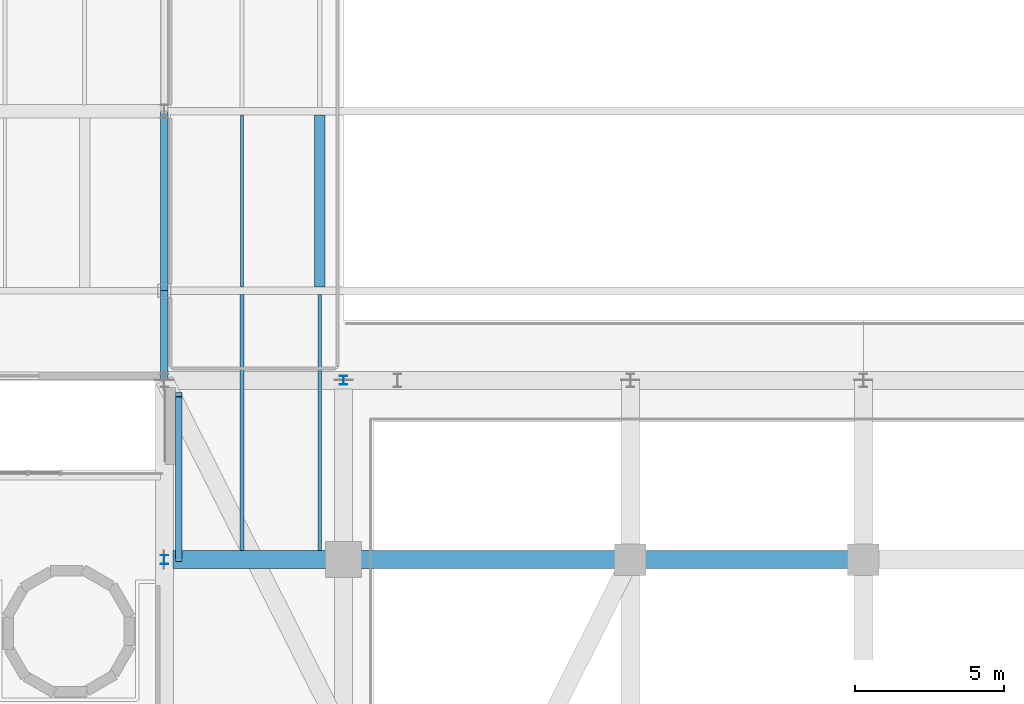
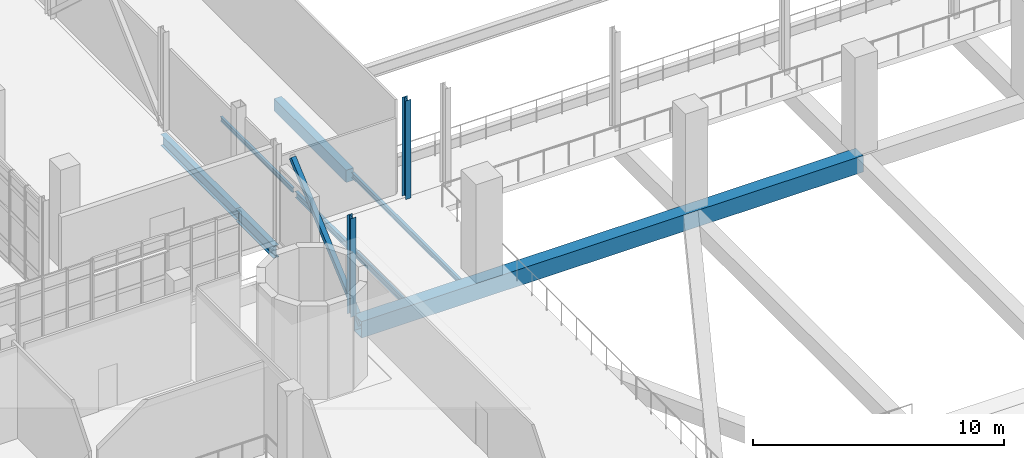
# One storey, part 28 of 100: 7 beams, 3 members.
"""IFC4 building model written with IfcOpenShell, lengths in metres."""

from ifc_helpers import new_model, si_unit, derived_unit, direction, frame, origin, origin_2d, place, context, subcontext, project, spatial, rectangle, hollow_rectangle, i_section, extrude, material, material_profile, profile_set, type_object, element, save


model = new_model("IFC4")

# Units and contexts
model_context = context("Model", 3, precision=1e-05, world=origin(), true_north=direction((0.0, 1.0)))
body_context = subcontext(model_context, "Body", "Model", "MODEL_VIEW")
ifc_project = project(units=[si_unit("LENGTHUNIT", "METRE"), si_unit("AREAUNIT", "SQUARE_METRE"), si_unit("VOLUMEUNIT", "CUBIC_METRE"), si_unit("PLANEANGLEUNIT", "RADIAN"), si_unit("MASSUNIT", "GRAM", prefix="KILO"), derived_unit("THERMALTRANSMITTANCEUNIT", [(si_unit("POWERUNIT", "WATT"), 1), (si_unit("LENGTHUNIT", "METRE"), -2), (si_unit("THERMODYNAMICTEMPERATUREUNIT", "KELVIN"), -1)])], contexts=[model_context])

# Site, building, storey
site_placement = place(None, origin())
site = spatial("IfcSite", under=ifc_project, at=site_placement, CompositionType="ELEMENT")
building_placement = place(site_placement, origin())
building = spatial("IfcBuilding", under=site, at=building_placement, Name="Nallur Shell Playhouse", CompositionType="ELEMENT")
storey_placement = place(building_placement, frame((0.0, 0.0, 10.199951171875)))
storey = spatial("IfcBuildingStorey", under=building, at=storey_placement, Name="L03", CompositionType="ELEMENT", Elevation=10.199951171875)

# Beams
ifc_material_1 = material(Name="Steel E250", Category="steel")
ifc_material_profile_1 = material_profile(ifc_material_1, i_section(OverallWidth=0.110107421875, OverallDepth=0.22509765625, WebThickness=0.006591796875, FlangeThickness=0.01171875, FilletRadius=0.011962890625, at=origin_2d()), Name="ISMB 225")
ifc_profile_set_1 = profile_set([ifc_material_profile_1], Name="Steel E250")
beam_type_1 = type_object("IfcBeamType", Name="BM-JST-ISMB225", PredefinedType="JOIST", material=ifc_profile_set_1)
beam_1_placement = place(storey_placement, frame((66.60009765625, 50.123046875, -0.37255859375), z_axis=(0.0, 1.0, 0.0), x_axis=(-1.0, 0.0, 0.0)))
element("IfcBeam", 1, at=beam_1_placement, inside=storey, type_object=beam_type_1, Name="L03 secondary joist 8-F-725", PredefinedType="JOIST", context=body_context, shape_type="SweptSolid", body=[
    extrude(i_section(OverallWidth=0.110107421875, OverallDepth=0.22509765625, WebThickness=0.006591796875, FlangeThickness=0.01171875, FilletRadius=0.011962890625, at=origin_2d()), origin(), (0.0, 0.0, 1.0), 5.75390625),
])
ifc_material_profile_2 = material_profile(ifc_material_1, i_section(OverallWidth=0.125, OverallDepth=0.25, WebThickness=0.0068359375, FlangeThickness=0.012451171875, FilletRadius=0.012939453125, at=origin_2d()), Name="ISMB 250")
ifc_profile_set_2 = profile_set([ifc_material_profile_2], Name="Steel E250")
beam_type_2 = type_object("IfcBeamType", Name="BM-JST-ISMB250", PredefinedType="JOIST", material=ifc_profile_set_2)
beam_2_placement = place(storey_placement, frame((69.199951171875, 41.298095703125, -0.385009765625), z_axis=(0.0, 1.0, 0.0), x_axis=(-1.0, 0.0, 0.0)))
element("IfcBeam", 2, at=beam_2_placement, inside=storey, type_object=beam_type_2, Name="L03 secondary joist 8-E-724", PredefinedType="JOIST", context=body_context, shape_type="SweptSolid", body=[
    extrude(i_section(OverallWidth=0.125, OverallDepth=0.25, WebThickness=0.0068359375, FlangeThickness=0.012451171875, FilletRadius=0.012939453125, at=origin_2d()), origin(), (0.0, 0.0, 1.0), 8.578857421875),
])
ifc_material_profile_3 = material_profile(ifc_material_1, i_section(OverallWidth=0.139892578125, OverallDepth=0.300048828125, WebThickness=0.0078125, FlangeThickness=0.01318359375, FilletRadius=0.013916015625, at=origin_2d()), Name="ISMB 300")
ifc_profile_set_3 = profile_set([ifc_material_profile_3], Name="Steel E250")
beam_type_3 = type_object("IfcBeamType", Name="BM-JST-ISMB300", PredefinedType="JOIST", material=ifc_profile_set_3)
beam_3_placement = place(storey_placement, frame((66.60009765625, 41.298095703125, -0.409912109375), z_axis=(0.0, 1.0, 0.0), x_axis=(-1.0, 0.0, 0.0)))
element("IfcBeam", 3, at=beam_3_placement, inside=storey, type_object=beam_type_3, Name="L03 secondary joist 8-E-723", PredefinedType="JOIST", context=body_context, shape_type="SweptSolid", body=[
    extrude(i_section(OverallWidth=0.139892578125, OverallDepth=0.300048828125, WebThickness=0.0078125, FlangeThickness=0.01318359375, FilletRadius=0.013916015625, at=origin_2d()), origin(), (0.0, 0.0, 1.0), 8.578857421875),
])
ifc_material_2 = material(Name="Concrete M30", Category="concrete")
ifc_material_profile_4 = material_profile(ifc_material_2, rectangle(XDim=0.35009765625, YDim=0.60009765625, at=origin_2d()), Name="RC 350x600")
ifc_profile_set_4 = profile_set([ifc_material_profile_4], Name="Concrete M30")
beam_type_4 = type_object("IfcBeamType", Name="BM-RC-350x600", PredefinedType="JOIST", material=ifc_profile_set_4)
beam_4_placement = place(storey_placement, frame((69.199951171875, 50.123046875, -0.56005859375), z_axis=(0.0, 1.0, 0.0), x_axis=(-1.0, 0.0, 0.0)))
element("IfcBeam", 4, at=beam_4_placement, inside=storey, type_object=beam_type_4, Name="L03 secondary joist 8-F-726", PredefinedType="JOIST", context=body_context, shape_type="SweptSolid", body=[
    extrude(rectangle(XDim=0.35009765625, YDim=0.60009765625, at=origin_2d()), origin(), (0.0, 0.0, 1.0), 5.75390625),
])
ifc_material_3 = material(Name="Steel E350", Category="steel")
ifc_material_profile_5 = material_profile(ifc_material_3, i_section(OverallWidth=0.25, OverallDepth=0.550048828125, WebThickness=0.010498046875, FlangeThickness=0.017578125, FilletRadius=0.01611328125, at=origin_2d()), Name="ISWB 550")
ifc_profile_set_5 = profile_set([ifc_material_profile_5], Name="Steel E350")
beam_type_5 = type_object("IfcBeamType", Name="BM-ST-ISWB550", PredefinedType="BEAM", material=ifc_profile_set_5)
beam_5_placement = place(storey_placement, frame((64.0, 50.0, -0.534912109375), z_axis=(0.0, 1.0, 0.0), x_axis=(-1.0, 0.0, 0.0)))
element("IfcBeam", 5, at=beam_5_placement, inside=storey, type_object=beam_type_5, Name="L03 girder Y-8-658", PredefinedType="BEAM", context=body_context, shape_type="SweptSolid", body=[
    extrude(i_section(OverallWidth=0.25, OverallDepth=0.550048828125, WebThickness=0.010498046875, FlangeThickness=0.017578125, FilletRadius=0.01611328125, at=origin_2d()), origin(), (0.0, 0.0, 1.0), 6.0),
])
ifc_material_profile_6 = material_profile(ifc_material_3, i_section(OverallWidth=0.25, OverallDepth=0.60009765625, WebThickness=0.01171875, FlangeThickness=0.023681640625, FilletRadius=0.01708984375, at=origin_2d()), Name="ISWB 600")
ifc_profile_set_6 = profile_set([ifc_material_profile_6], Name="Steel E350")
beam_type_6 = type_object("IfcBeamType", Name="BM-ST-ISWB600", PredefinedType="BEAM", material=ifc_profile_set_6)
beam_6_placement = place(storey_placement, frame((64.0, 47.0, -0.56005859375), z_axis=(0.0, 1.0, 0.0), x_axis=(-1.0, 0.0, 0.0)))
element("IfcBeam", 6, at=beam_6_placement, inside=storey, type_object=beam_type_6, Name="L03 girder Y-8-657", PredefinedType="BEAM", context=body_context, shape_type="SweptSolid", body=[
    extrude(i_section(OverallWidth=0.25, OverallDepth=0.60009765625, WebThickness=0.01171875, FlangeThickness=0.023681640625, FilletRadius=0.01708984375, at=origin_2d()), origin(), (0.0, 0.0, 1.0), 3.0),
])
ifc_material_profile_7 = material_profile(ifc_material_3, hollow_rectangle(XDim=0.60009765625, YDim=0.800048828125, WallThickness=0.02490234375, at=origin_2d()), Name="BOX 600x800x25")
ifc_profile_set_7 = profile_set([ifc_material_profile_7], Name="Steel E350")
beam_type_7 = type_object("IfcBeamType", Name="BM-TT-CHORD", PredefinedType="BEAM", material=ifc_profile_set_7)
beam_7_placement = place(storey_placement, frame((64.298095703125, 41.0, -0.659912109375), z_axis=(1.0, 0.0, 0.0), x_axis=(0.0, 1.0, 0.0)))
element("IfcBeam", 7, at=beam_7_placement, inside=storey, type_object=beam_type_7, Name="Transfer truss TT-2 top chord 1", PredefinedType="BEAM", context=body_context, shape_type="SweptSolid", body=[
    extrude(hollow_rectangle(XDim=0.60009765625, YDim=0.800048828125, WallThickness=0.02490234375, at=origin_2d()), origin(), (0.0, 0.0, 1.0), 23.101806640625),
])

# Members
ifc_material_profile_8 = material_profile(ifc_material_3, i_section(OverallWidth=0.25, OverallDepth=0.300048828125, WebThickness=0.009521484375, FlangeThickness=0.010498046875, FilletRadius=0.010986328125, at=origin_2d()), Name="ISHB 300")
ifc_profile_set_8 = profile_set([ifc_material_profile_8], Name="Steel E350")
member_type_1 = type_object("IfcMemberType", Name="MB-FASCIA-POST", PredefinedType="POST", material=ifc_profile_set_8)
for number, where, z_axis, x_axis, name in (
    (8, (70.0, 47.0, 0.0), (0.0, 0.0, 1.0), (1.0, 0.0, 0.0), "Cantilever truss fascia post POST-GB-L03-09"),
    (9, (64.0, 41.0, 0.0), (0.0, 0.0, 1.0), (1.0, 0.0, 0.0), "Cantilever truss fascia post POST-GB-L03-13"),
):
    element("IfcMember", number, at=place(storey_placement, frame(where, z_axis=z_axis, x_axis=x_axis)), inside=storey, type_object=member_type_1, Name=name, PredefinedType="POST", context=body_context, shape_type="SweptSolid", body=[
        extrude(i_section(OverallWidth=0.25, OverallDepth=0.300048828125, WebThickness=0.009521484375, FlangeThickness=0.010498046875, FilletRadius=0.010986328125, at=origin_2d()), origin(), (0.0, 0.0, 1.0), 4.800048828125),
    ])
ifc_material_profile_9 = material_profile(ifc_material_3, hollow_rectangle(XDim=0.219970703125, YDim=0.219970703125, WallThickness=0.011962890625, at=origin_2d()), Name="SHS 220x220x12")
ifc_profile_set_9 = profile_set([ifc_material_profile_9], Name="Steel E350")
member_type_2 = type_object("IfcMemberType", Name="MB-FT-BRACE2", PredefinedType="BRACE", material=ifc_profile_set_9)
member_placement = place(storey_placement, frame((64.47998046875, 41.0, -0.659912109375), z_axis=(0.0, 0.754603366631, 0.656181193779), x_axis=(-1.0, 0.0, 0.0)))
element("IfcMember", 10, at=member_placement, inside=storey, type_object=member_type_2, Name="Gold box fascia brace L03-2", PredefinedType="BRACE", context=body_context, shape_type="SweptSolid", body=[
    extrude(hollow_rectangle(XDim=0.219970703125, YDim=0.219970703125, WallThickness=0.011962890625, at=origin_2d()), origin(), (0.0, 0.0, 1.0), 7.315185546875),
])

save(model, "model.ifc")
